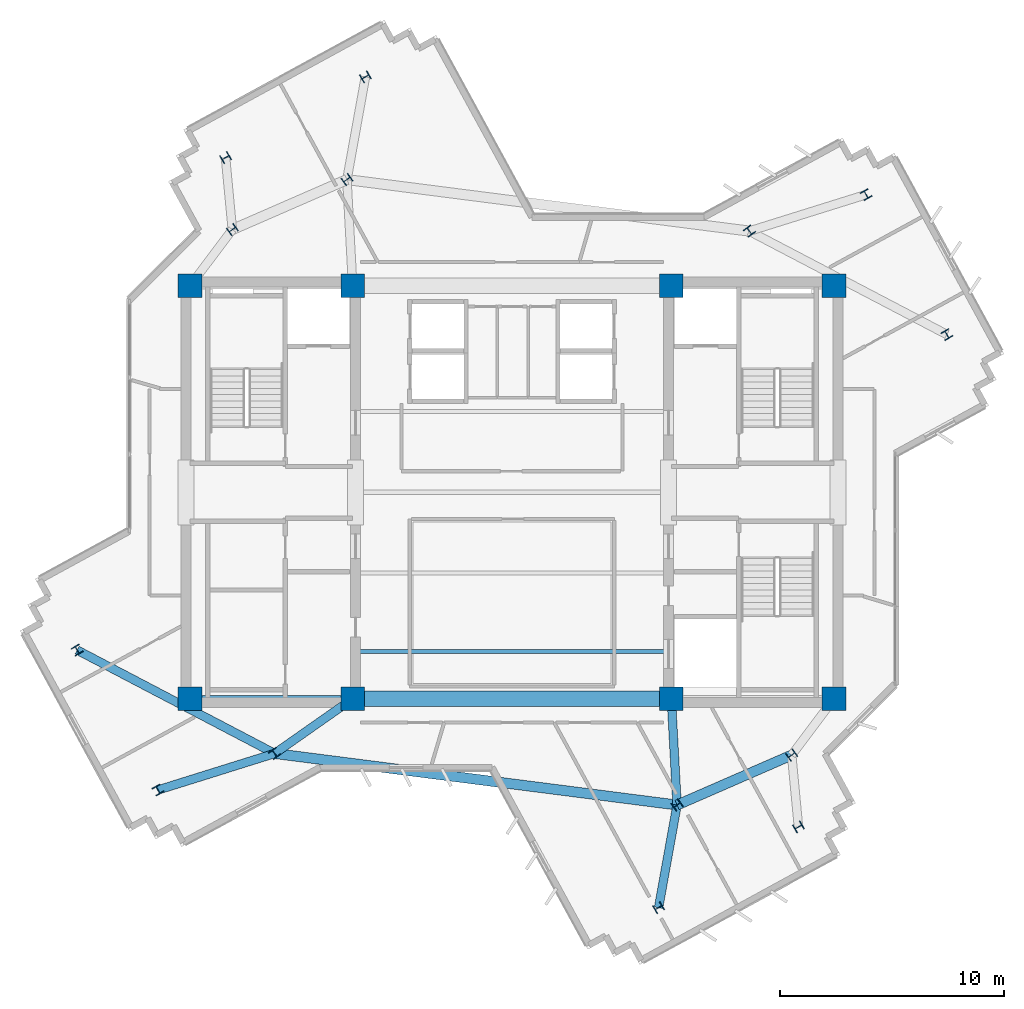
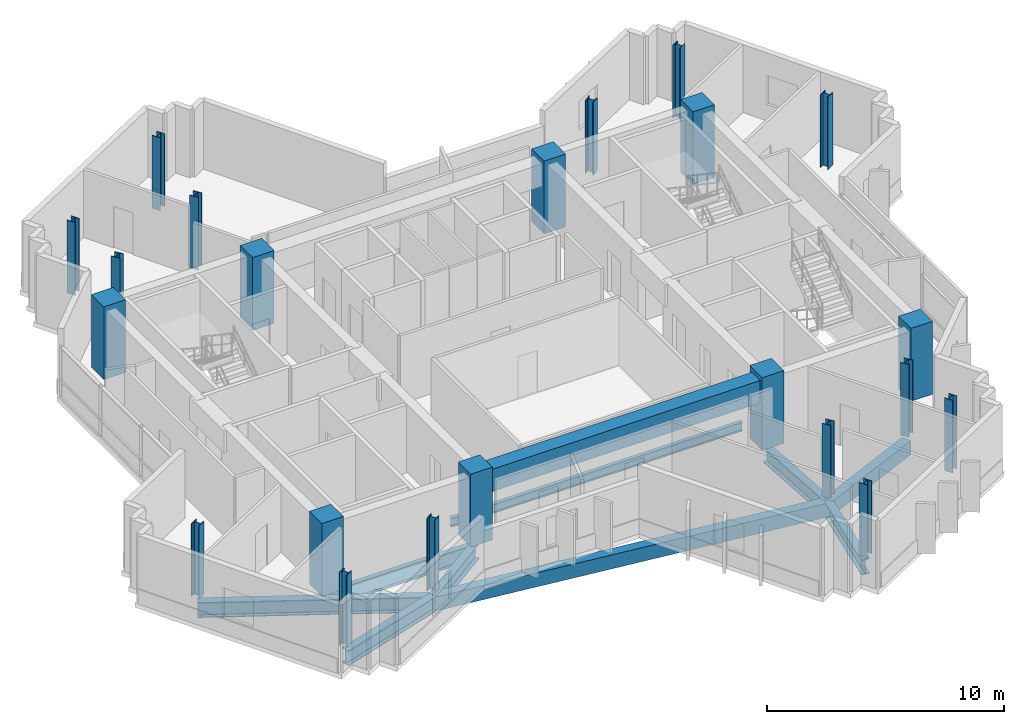
# One storey, part 1 of 13: 22 columns, 10 beams.
"""IFC4 building model written with IfcOpenShell, lengths in metres."""

from ifc_helpers import new_model, si_unit, direction, frame, origin, origin_2d, place, context, subcontext, project, spatial, rectangle, i_section, extrude, source, transform, mapped, material, material_profile, profile_set, type_object, element, save


model = new_model("IFC4")

# Units and contexts
model_context = context("Model", 3, precision=1e-05, world=origin(), true_north=direction((0.0, 1.0)))
body_context = subcontext(model_context, "Body", "Model", "MODEL_VIEW")
ifc_project = project(units=[si_unit("LENGTHUNIT", "METRE"), si_unit("AREAUNIT", "SQUARE_METRE"), si_unit("VOLUMEUNIT", "CUBIC_METRE"), si_unit("PLANEANGLEUNIT", "RADIAN"), si_unit("MASSUNIT", "GRAM", prefix="KILO")], contexts=[model_context])

# Site, building, storey
site_placement = place(None, origin())
site = spatial("IfcSite", under=ifc_project, at=site_placement, CompositionType="ELEMENT")
building_placement = place(site_placement, origin())
building = spatial("IfcBuilding", under=site, at=building_placement, Name="Zahravan Cultural Tower", CompositionType="ELEMENT")
storey_placement = place(building_placement, frame((0.0, 0.0, 257.85009765625)))
storey = spatial("IfcBuildingStorey", under=building, at=storey_placement, Name="L61", CompositionType="ELEMENT", Elevation=257.85009765625)

# Columns
ifc_material_1 = material(Name="Concrete C50/60", Category="concrete")
ifc_material_profile_1 = material_profile(ifc_material_1, rectangle(XDim=1.050048828125, YDim=1.050048828125, at=origin_2d()), Name="RC1050X1050")
ifc_profile_set_1 = profile_set([ifc_material_profile_1], Name="Concrete C50/60")
column_type_1 = type_object("IfcColumnType", Name="COL-RC1050", PredefinedType="COLUMN", material=ifc_profile_set_1)
shared_shape_1 = source(origin(), body_context, "Body", "SweptSolid", [
    extrude(rectangle(XDim=1.050048828125, YDim=1.050048828125, at=origin_2d()), origin(), (0.0, 0.0, 1.0), 3.75),
])
for number, where, z_axis, x_axis, name in (
    (1, (21.64990234375, 17.800048828125, 0.0), (0.0, 0.0, 1.0), (1.0, 0.0, 0.0), "L61 Column CC-W1"),
    (2, (28.89990234375, 17.800048828125, 0.0), (0.0, 0.0, 1.0), (1.0, 0.0, 0.0), "L61 Column CC-W2"),
    (3, (21.64990234375, 36.199951171875, 0.0), (0.0, 0.0, 1.0), (1.0, 0.0, 0.0), "L61 Column CC-W3"),
    (4, (28.89990234375, 36.199951171875, 0.0), (0.0, 0.0, 1.0), (1.0, 0.0, 0.0), "L61 Column CC-W4"),
    (5, (43.10009765625, 17.800048828125, 0.0), (0.0, 0.0, 1.0), (1.0, 0.0, 0.0), "L61 Column CC-E1"),
    (6, (50.35009765625, 17.800048828125, 0.0), (0.0, 0.0, 1.0), (1.0, 0.0, 0.0), "L61 Column CC-E2"),
    (7, (43.10009765625, 36.199951171875, 0.0), (0.0, 0.0, 1.0), (1.0, 0.0, 0.0), "L61 Column CC-E3"),
    (8, (50.35009765625, 36.199951171875, 0.0), (0.0, 0.0, 1.0), (1.0, 0.0, 0.0), "L61 Column CC-E4"),
):
    element("IfcColumn", number, at=place(storey_placement, frame(where, z_axis=z_axis, x_axis=x_axis)), inside=storey, type_object=column_type_1, Name=name, PredefinedType="COLUMN", context=body_context, shape_type="MappedRepresentation", body=[
        mapped(shared_shape_1, transform((0.0, 0.0, 0.0), x_axis=(1.0, 0.0, 0.0), y_axis=(0.0, 1.0, 0.0), z_axis=(0.0, 0.0, 1.0), scale=1.0)),
    ])
ifc_material_2 = material(Name="Steel ASTM A992 Grade 50", Category="steel")
ifc_material_profile_2 = material_profile(ifc_material_2, i_section(OverallWidth=0.39892578125, OverallDepth=0.385986328125, WebThickness=0.02099609375, FlangeThickness=0.033203125, FilletRadius=0.01806640625, at=origin_2d()), Name="W14X176")
ifc_profile_set_2 = profile_set([ifc_material_profile_2], Name="Steel ASTM A992 Grade 50")
column_type_2 = type_object("IfcColumnType", Name="COL-W14X176", PredefinedType="COLUMN", material=ifc_profile_set_2)
shared_shape_2 = source(origin(), body_context, "Body", "SweptSolid", [
    extrude(i_section(OverallWidth=0.39892578125, OverallDepth=0.385986328125, WebThickness=0.02099609375, FlangeThickness=0.033203125, FilletRadius=0.01806640625, at=origin_2d()), origin(), (0.0, 0.0, 1.0), 3.75),
])
for number, where, z_axis, x_axis, name in (
    (9, (46.577880859375, 38.640625, 0.0), (0.0, 0.0, 1.0), (0.809016994375, 0.587785252292, 0.0), "L61 Column Z3C-E2"),
    (10, (28.642578125, 40.937255859375, 0.0), (0.0, 0.0, 1.0), (-0.587785252292, 0.809016994375, 0.0), "L61 Column Z3C-N1"),
    (11, (23.536376953125, 38.710693359375, 0.0), (0.0, 0.0, 1.0), (-0.587785252292, 0.809016994375, 0.0), "L61 Column Z3C-N2"),
    (12, (25.422119140625, 15.359375, 0.0), (0.0, 0.0, 1.0), (0.809016994375, 0.587785252292, 0.0), "L61 Column Z3C-W2"),
    (13, (43.357421875, 13.062744140625, 0.0), (0.0, 0.0, 1.0), (-0.587785252292, 0.809016994375, 0.0), "L61 Column Z3C-S1"),
    (14, (48.463623046875, 15.289306640625, 0.0), (0.0, 0.0, 1.0), (-0.587785252292, 0.809016994375, 0.0), "L61 Column Z3C-S2"),
    (15, (55.38037109375, 34.0322265625, 0.0), (0.0, 0.0, 1.0), (0.866025403784, 0.5, 0.0), "L61 Column Z3T-E1"),
    (16, (51.7802734375, 40.267578125, 0.0), (0.0, 0.0, 1.0), (0.866025403784, 0.5, 0.0), "L61 Column Z3T-E2"),
    (17, (29.4677734375, 45.514404296875, 0.0), (0.0, 0.0, 1.0), (-0.5, 0.866025403784, 0.0), "L61 Column Z3T-N1"),
    (18, (23.232421875, 41.914306640625, 0.0), (0.0, 0.0, 1.0), (-0.5, 0.866025403784, 0.0), "L61 Column Z3T-N2"),
    (19, (16.61962890625, 19.9677734375, 0.0), (0.0, 0.0, 1.0), (0.866025403784, 0.5, 0.0), "L61 Column Z3T-W1"),
    (20, (20.2197265625, 13.732421875, 0.0), (0.0, 0.0, 1.0), (0.866025403784, 0.5, 0.0), "L61 Column Z3T-W2"),
    (21, (42.5322265625, 8.485595703125, 0.0), (0.0, 0.0, 1.0), (-0.5, 0.866025403784, 0.0), "L61 Column Z3T-S1"),
    (22, (48.767578125, 12.085693359375, 0.0), (0.0, 0.0, 1.0), (-0.5, 0.866025403784, 0.0), "L61 Column Z3T-S2"),
):
    element("IfcColumn", number, at=place(storey_placement, frame(where, z_axis=z_axis, x_axis=x_axis)), inside=storey, type_object=column_type_2, Name=name, PredefinedType="COLUMN", context=body_context, shape_type="MappedRepresentation", body=[
        mapped(shared_shape_2, transform((0.0, 0.0, 0.0), x_axis=(1.0, 0.0, 0.0), y_axis=(0.0, 1.0, 0.0), z_axis=(0.0, 0.0, 1.0), scale=1.0)),
    ])

# Beams
ifc_material_profile_3 = material_profile(ifc_material_1, rectangle(XDim=0.699951171875, YDim=1.14990234375, at=origin_2d()), Name="RC700X1150")
ifc_profile_set_3 = profile_set([ifc_material_profile_3], Name="Concrete C50/60")
beam_type_1 = type_object("IfcBeamType", Name="BM-LN-RC700X1150", PredefinedType="LINTEL", material=ifc_profile_set_3)
shared_shape_3 = source(origin(), body_context, "Body", "SweptSolid", [
    extrude(rectangle(XDim=0.699951171875, YDim=1.14990234375, at=origin_2d()), origin(), (0.0, 0.0, 1.0), 14.2001953125),
])
beam_1_placement = place(storey_placement, frame((28.89990234375, 17.800048828125, 2.9248046875), z_axis=(1.0, 0.0, 0.0), x_axis=(0.0, 1.0, 0.0)))
element("IfcBeam", 23, at=beam_1_placement, inside=storey, type_object=beam_type_1, Name="L61 Beam LN-L61-S", PredefinedType="LINTEL", context=body_context, shape_type="MappedRepresentation", body=[
    mapped(shared_shape_3, transform((0.0, 0.0, 0.0), x_axis=(1.0, 0.0, 0.0), y_axis=(0.0, 1.0, 0.0), z_axis=(0.0, 0.0, 1.0), scale=1.0)),
])
ifc_material_profile_4 = material_profile(ifc_material_2, i_section(OverallWidth=0.26611328125, OverallDepth=0.780029296875, WebThickness=0.0166015625, FlangeThickness=0.030029296875, FilletRadius=0.01904296875, at=origin_2d()), Name="W30X148")
ifc_profile_set_4 = profile_set([ifc_material_profile_4], Name="Steel ASTM A992 Grade 50")
beam_type_2 = type_object("IfcBeamType", Name="BM-G-W30X148", PredefinedType="BEAM", material=ifc_profile_set_4)
shared_shape_4 = source(origin(), body_context, "Body", "SweptSolid", [
    extrude(i_section(OverallWidth=0.26611328125, OverallDepth=0.780029296875, WebThickness=0.0166015625, FlangeThickness=0.030029296875, FilletRadius=0.01904296875, at=origin_2d()), origin(), (0.0, 0.0, 1.0), 7.25),
])
beam_2_placement = place(storey_placement, frame((21.64990234375, 17.800048828125, -0.64013671875), z_axis=(1.0, 0.0, 0.0), x_axis=(0.0, 1.0, 0.0)))
element("IfcBeam", 24, at=beam_2_placement, inside=storey, type_object=beam_type_2, Name="L61 Beam BG-L61-01", PredefinedType="BEAM", context=body_context, shape_type="MappedRepresentation", body=[
    mapped(shared_shape_4, transform((0.0, 0.0, 0.0), x_axis=(1.0, 0.0, 0.0), y_axis=(0.0, 1.0, 0.0), z_axis=(0.0, 0.0, 1.0), scale=1.0)),
])
ifc_material_3 = material(Name="Concrete C45/55", Category="concrete")
ifc_material_profile_5 = material_profile(ifc_material_3, rectangle(XDim=0.449951171875, YDim=0.719970703125, at=origin_2d()), Name="RC450X720")
ifc_profile_set_5 = profile_set([ifc_material_profile_5], Name="Concrete C45/55")
beam_type_3 = type_object("IfcBeamType", Name="BM-SP-RC450X720", PredefinedType="SPANDREL", material=ifc_profile_set_5)
shared_shape_5 = source(origin(), body_context, "Body", "SweptSolid", [
    extrude(rectangle(XDim=0.449951171875, YDim=0.719970703125, at=origin_2d()), origin(), (0.0, 0.0, 1.0), 18.081787109375),
])
beam_3_placement = place(storey_placement, frame((25.422119140625, 15.359375, -0.610107421875), z_axis=(0.991900954377, -0.127013765812, 0.0), x_axis=(0.127013765812, 0.991900954377, 0.0)))
element("IfcBeam", 25, at=beam_3_placement, inside=storey, type_object=beam_type_3, Name="L61 Beam SP-L61-20", PredefinedType="SPANDREL", context=body_context, shape_type="MappedRepresentation", body=[
    mapped(shared_shape_5, transform((0.0, 0.0, 0.0), x_axis=(1.0, 0.0, 0.0), y_axis=(0.0, 1.0, 0.0), z_axis=(0.0, 0.0, 1.0), scale=1.0)),
])
shared_shape_6 = source(origin(), body_context, "Body", "SweptSolid", [
    extrude(rectangle(XDim=0.449951171875, YDim=0.719970703125, at=origin_2d()), origin(), (0.0, 0.0, 1.0), 5.570556640625),
])
beam_4_placement = place(storey_placement, frame((43.357421875, 13.062744140625, -0.610107421875), z_axis=(0.9166445026, 0.399703459896, 0.0), x_axis=(-0.399703459896, 0.9166445026, 0.0)))
element("IfcBeam", 26, at=beam_4_placement, inside=storey, type_object=beam_type_3, Name="L61 Beam SP-L61-21", PredefinedType="SPANDREL", context=body_context, shape_type="MappedRepresentation", body=[
    mapped(shared_shape_6, transform((0.0, 0.0, 0.0), x_axis=(1.0, 0.0, 0.0), y_axis=(0.0, 1.0, 0.0), z_axis=(0.0, 0.0, 1.0), scale=1.0)),
])
ifc_material_profile_6 = material_profile(ifc_material_2, i_section(OverallWidth=0.18994140625, OverallDepth=0.45703125, WebThickness=0.009033203125, FlangeThickness=0.014404296875, FilletRadius=0.012939453125, at=origin_2d()), Name="W18X50")
ifc_profile_set_6 = profile_set([ifc_material_profile_6], Name="Steel ASTM A992 Grade 50")
beam_type_4 = type_object("IfcBeamType", Name="BM-J-W18X50", PredefinedType="JOIST", material=ifc_profile_set_6)
shared_shape_7 = source(origin(), body_context, "Body", "SweptSolid", [
    extrude(i_section(OverallWidth=0.18994140625, OverallDepth=0.45703125, WebThickness=0.009033203125, FlangeThickness=0.014404296875, FilletRadius=0.012939453125, at=origin_2d()), origin(), (0.0, 0.0, 1.0), 14.2001953125),
])
beam_5_placement = place(storey_placement, frame((28.89990234375, 19.89990234375, -0.478515625), z_axis=(1.0, 0.0, 0.0), x_axis=(0.0, 1.0, 0.0)))
element("IfcBeam", 27, at=beam_5_placement, inside=storey, type_object=beam_type_4, Name="L61 Beam BJ-L61-24", PredefinedType="JOIST", context=body_context, shape_type="MappedRepresentation", body=[
    mapped(shared_shape_7, transform((0.0, 0.0, 0.0), x_axis=(1.0, 0.0, 0.0), y_axis=(0.0, 1.0, 0.0), z_axis=(0.0, 0.0, 1.0), scale=1.0)),
])
ifc_material_profile_7 = material_profile(ifc_material_2, i_section(OverallWidth=0.382080078125, OverallDepth=0.779052734375, WebThickness=0.01806640625, FlangeThickness=0.030029296875, FilletRadius=0.01904296875, at=origin_2d()), Name="W30X191")
ifc_profile_set_7 = profile_set([ifc_material_profile_7], Name="Steel ASTM A992 Grade 50")
beam_type_5 = type_object("IfcBeamType", Name="BM-G-W30X191", PredefinedType="BEAM", material=ifc_profile_set_7)
shared_shape_8 = source(origin(), body_context, "Body", "SweptSolid", [
    extrude(i_section(OverallWidth=0.382080078125, OverallDepth=0.779052734375, WebThickness=0.01806640625, FlangeThickness=0.030029296875, FilletRadius=0.01904296875, at=origin_2d()), origin(), (0.0, 0.0, 1.0), 4.248779296875),
])
beam_6_placement = place(storey_placement, frame((28.89990234375, 17.800048828125, -0.6396484375), z_axis=(-0.81854294596, -0.574445337365, 0.0), x_axis=(0.574445337365, -0.81854294596, 0.0)))
element("IfcBeam", 28, at=beam_6_placement, inside=storey, type_object=beam_type_5, Name="L61 Beam BG-L61-07", PredefinedType="BEAM", context=body_context, shape_type="MappedRepresentation", body=[
    mapped(shared_shape_8, transform((0.0, 0.0, 0.0), x_axis=(1.0, 0.0, 0.0), y_axis=(0.0, 1.0, 0.0), z_axis=(0.0, 0.0, 1.0), scale=1.0)),
])
shared_shape_9 = source(origin(), body_context, "Body", "SweptSolid", [
    extrude(i_section(OverallWidth=0.382080078125, OverallDepth=0.779052734375, WebThickness=0.01806640625, FlangeThickness=0.030029296875, FilletRadius=0.01904296875, at=origin_2d()), origin(), (0.0, 0.0, 1.0), 4.744384765625),
])
beam_7_placement = place(storey_placement, frame((43.10009765625, 17.800048828125, -0.6396484375), z_axis=(0.054238739845, -0.998527996152, 0.0), x_axis=(0.998527996152, 0.054238739845, 0.0)))
element("IfcBeam", 29, at=beam_7_placement, inside=storey, type_object=beam_type_5, Name="L61 Beam BG-L61-08", PredefinedType="BEAM", context=body_context, shape_type="MappedRepresentation", body=[
    mapped(shared_shape_9, transform((0.0, 0.0, 0.0), x_axis=(1.0, 0.0, 0.0), y_axis=(0.0, 1.0, 0.0), z_axis=(0.0, 0.0, 1.0), scale=1.0)),
])
shared_shape_10 = source(origin(), body_context, "Body", "SweptSolid", [
    extrude(i_section(OverallWidth=0.382080078125, OverallDepth=0.779052734375, WebThickness=0.01806640625, FlangeThickness=0.030029296875, FilletRadius=0.01904296875, at=origin_2d()), origin(), (0.0, 0.0, 1.0), 9.935791015625),
])
beam_8_placement = place(storey_placement, frame((25.422119140625, 15.359375, -0.6396484375), z_axis=(-0.885932031042, 0.463815088558, 0.0), x_axis=(-0.463815088558, -0.885932031042, 0.0)))
element("IfcBeam", 30, at=beam_8_placement, inside=storey, type_object=beam_type_5, Name="L61 Beam BG-L61-16", PredefinedType="BEAM", context=body_context, shape_type="MappedRepresentation", body=[
    mapped(shared_shape_10, transform((0.0, 0.0, 0.0), x_axis=(1.0, 0.0, 0.0), y_axis=(0.0, 1.0, 0.0), z_axis=(0.0, 0.0, 1.0), scale=1.0)),
])
shared_shape_11 = source(origin(), body_context, "Body", "SweptSolid", [
    extrude(i_section(OverallWidth=0.382080078125, OverallDepth=0.779052734375, WebThickness=0.01806640625, FlangeThickness=0.030029296875, FilletRadius=0.01904296875, at=origin_2d()), origin(), (0.0, 0.0, 1.0), 5.450927734375),
])
beam_9_placement = place(storey_placement, frame((25.422119140625, 15.359375, -0.6396484375), z_axis=(-0.954416996605, -0.298476459025, 0.0), x_axis=(0.298476459025, -0.954416996605, 0.0)))
element("IfcBeam", 31, at=beam_9_placement, inside=storey, type_object=beam_type_5, Name="L61 Beam BG-L61-17", PredefinedType="BEAM", context=body_context, shape_type="MappedRepresentation", body=[
    mapped(shared_shape_11, transform((0.0, 0.0, 0.0), x_axis=(1.0, 0.0, 0.0), y_axis=(0.0, 1.0, 0.0), z_axis=(0.0, 0.0, 1.0), scale=1.0)),
])
shared_shape_12 = source(origin(), body_context, "Body", "SweptSolid", [
    extrude(i_section(OverallWidth=0.382080078125, OverallDepth=0.779052734375, WebThickness=0.01806640625, FlangeThickness=0.030029296875, FilletRadius=0.01904296875, at=origin_2d()), origin(), (0.0, 0.0, 1.0), 4.65087890625),
])
beam_10_placement = place(storey_placement, frame((43.357421875, 13.062744140625, -0.6396484375), z_axis=(-0.177425522697, -0.984134230629, 0.0), x_axis=(0.984134230629, -0.177425522697, 0.0)))
element("IfcBeam", 32, at=beam_10_placement, inside=storey, type_object=beam_type_5, Name="L61 Beam BG-L61-18", PredefinedType="BEAM", context=body_context, shape_type="MappedRepresentation", body=[
    mapped(shared_shape_12, transform((0.0, 0.0, 0.0), x_axis=(1.0, 0.0, 0.0), y_axis=(0.0, 1.0, 0.0), z_axis=(0.0, 0.0, 1.0), scale=1.0)),
])

save(model, "model.ifc")
